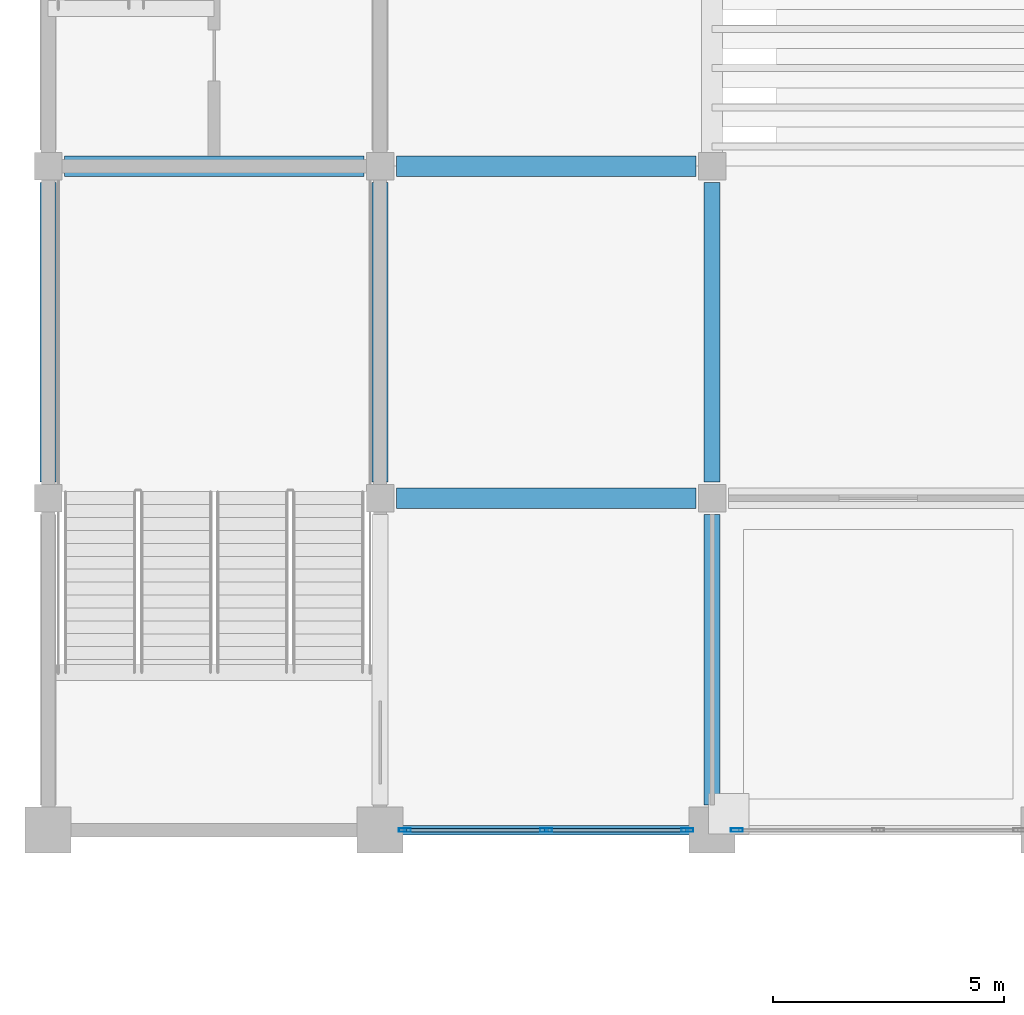
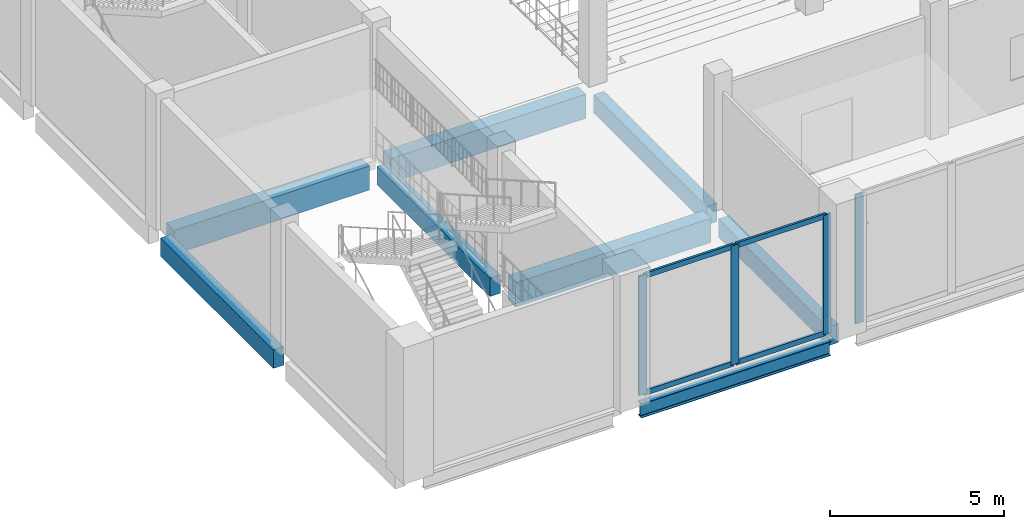
# One storey, part 6 of 99: 8 beams, 8 members, 2 elements without a shape of their own.
"""IFC4 building model written with IfcOpenShell, lengths in metres."""

import ifcopenshell
import ifcopenshell.guid

model = None  # the IFC model being written
_history = None  # IfcOwnerHistory: only IFC2X3 demands one
_inside = {}  # id of a spatial element -> (the spatial element, [elements in it])
_under = {}  # id of a project, library or spatial element -> (it, [spatial elements below it])
_declared = {}  # id of a project -> (the project, [libraries it declares])
_typed = {}  # id of a type object -> (the type object, [elements of that type])
_made_of = {}  # id of a material, layer set ... -> (it, [elements and type objects made of it])


def new_model(schema):
    """Start an empty IFC model of exactly this schema.

    Asked for "IFC4X3", IfcOpenShell would pick the latest addendum, in which some entities
    have other attributes; the version numbers below select the first issue.
    IFC2X3 requires an IfcOwnerHistory on every rooted entity: one is made here for all.
    """
    global model, _history
    if schema == "IFC4X3":
        model = ifcopenshell.file(schema_version=(4, 3, 0, 0))
    else:
        model = ifcopenshell.file(schema=schema)
    _inside.clear()
    _under.clear()
    _declared.clear()
    _typed.clear()
    _made_of.clear()
    _history = None
    if model.schema == "IFC2X3":
        org = make("IfcOrganization", Name="unknown")
        user = make(
            "IfcPersonAndOrganization",
            ThePerson=make("IfcPerson", FamilyName="unknown"),
            TheOrganization=org,
        )
        app = make(
            "IfcApplication",
            ApplicationDeveloper=org,
            Version="unknown",
            ApplicationFullName="unknown",
            ApplicationIdentifier="unknown",
        )
        _history = make(
            "IfcOwnerHistory",
            OwningUser=user,
            OwningApplication=app,
            ChangeAction="ADDED",
            CreationDate=0,
        )
    return model


def make(cls, **values):
    """One entity of the class cls with the attributes given. An attribute that is None is left unset."""
    return model.create_entity(
        cls, **{name: value for name, value in values.items() if value is not None}
    )


def rooted(cls, **values):
    """An entity with a GlobalId (a new one), such as an element, a storey or a relation."""
    return make(cls, GlobalId=ifcopenshell.guid.new(), OwnerHistory=_history, **values)


def si_unit(unit_type, name, prefix=None):
    """IfcSIUnit, for example si_unit("LENGTHUNIT", "METRE", prefix="MILLI")."""
    return make("IfcSIUnit", UnitType=unit_type, Prefix=prefix, Name=name)


def assignment(units):
    """IfcUnitAssignment: the units of a project."""
    return None if units is None else make("IfcUnitAssignment", Units=units)


def point(xyz):
    """IfcCartesianPoint."""
    return None if xyz is None else make("IfcCartesianPoint", Coordinates=xyz)


def direction(xyz):
    """IfcDirection."""
    return None if xyz is None else make("IfcDirection", DirectionRatios=xyz)


def frame(location, z_axis=None, x_axis=None):
    """IfcAxis2Placement3D, a coordinate frame: its origin and axes. An axis left out is left unset."""
    return make(
        "IfcAxis2Placement3D",
        Location=point(location),
        Axis=direction(z_axis),
        RefDirection=direction(x_axis),
    )


def frame_2d(location, x_axis=None):
    """IfcAxis2Placement2D, a coordinate frame in the plane: its origin and x axis."""
    return make(
        "IfcAxis2Placement2D", Location=point(location), RefDirection=direction(x_axis)
    )


def origin():
    """The frame at (0, 0, 0) with its axes left unset."""
    return frame((0.0, 0.0, 0.0))


def origin_2d():
    """The frame at (0, 0) in the plane with its x axis left unset."""
    return frame_2d((0.0, 0.0))


def place(relative_to, where):
    """IfcLocalPlacement: puts the frame where relative to a parent placement (None: the world)."""
    return make(
        "IfcLocalPlacement", PlacementRelTo=relative_to, RelativePlacement=where
    )


def context(
    kind, dimensions, precision=None, world=None, true_north=None, identifier=None
):
    """IfcGeometricRepresentationContext, for example the 3D "Model" context."""
    return make(
        "IfcGeometricRepresentationContext",
        ContextIdentifier=identifier,
        ContextType=kind,
        CoordinateSpaceDimension=dimensions,
        Precision=precision,
        WorldCoordinateSystem=world,
        TrueNorth=true_north,
    )


def subcontext(parent, identifier, kind, view, scale=None):
    """IfcGeometricRepresentationSubContext, for example "Body" below "Model"."""
    return make(
        "IfcGeometricRepresentationSubContext",
        ContextIdentifier=identifier,
        ContextType=kind,
        ParentContext=parent,
        TargetScale=scale,
        TargetView=view,
    )


def project(units=None, contexts=None):
    """IfcProject with its units and contexts."""
    return rooted(
        "IfcProject",
        Name="project",
        RepresentationContexts=contexts,
        UnitsInContext=assignment(units),
    )


def spatial(cls, under=None, at=None, **own):
    """A site, building, storey or space (cls), placed at a placement, below another one or the project."""
    s = rooted(cls, ObjectPlacement=at, **own)
    if under is not None:
        _under.setdefault(under.id(), (under, []))[1].append(s)
    return s


def profile(cls, at=None, kind="AREA", **sizes):
    """A parametric profile (cls). Its sizes go by their IFC names, for example OverallWidth=200.0."""
    return make(cls, ProfileType=kind, Position=at, **sizes)


def rectangle(**sizes):
    """IfcRectangleProfileDef."""
    return profile("IfcRectangleProfileDef", **sizes)


def hollow_rectangle(**sizes):
    """IfcRectangleHollowProfileDef."""
    return profile("IfcRectangleHollowProfileDef", **sizes)


def i_section(**sizes):
    """IfcIShapeProfileDef."""
    return profile("IfcIShapeProfileDef", **sizes)


def extrude(swept, where, along, depth):
    """IfcExtrudedAreaSolid: the profile swept, set in the frame where, extruded along a direction by depth."""
    return make(
        "IfcExtrudedAreaSolid",
        SweptArea=swept,
        Position=where,
        ExtrudedDirection=direction(along),
        Depth=depth,
    )


def shape(context_of_items, identifier, shape_type, items):
    """IfcShapeRepresentation: the items that make up one representation, for example the "Body"."""
    return make(
        "IfcShapeRepresentation",
        ContextOfItems=context_of_items,
        RepresentationIdentifier=identifier,
        RepresentationType=shape_type,
        Items=items,
    )


def material(Name=None, Category=None):
    """IfcMaterial."""
    return make("IfcMaterial", Name=Name, Category=Category)


def material_profile(
    of_material, cross_section, Name=None, Category=None, Priority=None
):
    """IfcMaterialProfile: a cross section and its material."""
    return make(
        "IfcMaterialProfile",
        Name=Name,
        Material=of_material,
        Profile=cross_section,
        Priority=Priority,
        Category=Category,
    )


def profile_set(profiles, Name=None, composite=None):
    """IfcMaterialProfileSet."""
    return make(
        "IfcMaterialProfileSet",
        Name=Name,
        MaterialProfiles=profiles,
        CompositeProfile=composite,
    )


def made_of(thing, what):
    """Note that an element or type object is made of a material, layer set ...; save() writes the relation."""
    if what is not None:
        _made_of.setdefault(what.id(), (what, []))[1].append(thing)
    return thing


def type_object(cls, material=None, **own):
    """A type object (cls), such as IfcWallType, which elements share."""
    return made_of(rooted(cls, **own), material)


def element(
    cls,
    number,
    at=None,
    inside=None,
    cuts=None,
    type_object=None,
    material=None,
    context=None,
    identifier="Body",
    shape_type=None,
    held_by="IfcProductDefinitionShape",
    body=None,
    shapes=None,
    **own,
):
    """One element of the class cls, such as IfcWall. Its Tag is "e" and its number.

    at: its placement. inside: the storey or other place that contains it. cuts: it is an
    opening in that element (IfcRelVoidsElement). A single representation is given by context,
    identifier, shape_type and body (its items); several are given by shapes. held_by: the class
    of the entity that holds the representations. save() writes the other relations.
    """
    e = rooted(cls, Tag="e%d" % number, ObjectPlacement=at, **own)
    if body is not None:
        shapes = [shape(context, identifier, shape_type, body)]
    if shapes is not None:
        e.Representation = make(held_by, Representations=shapes)
    if inside is not None:
        _inside.setdefault(inside.id(), (inside, []))[1].append(e)
    if cuts is not None:
        rooted(
            "IfcRelVoidsElement", RelatingBuildingElement=cuts, RelatedOpeningElement=e
        )
    if type_object is not None:
        _typed.setdefault(type_object.id(), (type_object, []))[1].append(e)
    return made_of(e, material)


def aggregate(whole, parts):
    """IfcRelAggregates: a whole, such as a stair, and the parts it consists of."""
    return rooted("IfcRelAggregates", RelatingObject=whole, RelatedObjects=parts)


def save(model, path):
    """Write the relations noted so far, then the file.

    IfcRelAggregates (storeys below a building ...), IfcRelContainedInSpatialStructure (elements
    in a storey), IfcRelDefinesByType, IfcRelAssociatesMaterial and IfcRelDeclares: one each for
    every whole, place, type object, material and project.
    """
    for whole, parts in _under.values():
        aggregate(whole, parts)
    for where, things in _inside.values():
        rooted(
            "IfcRelContainedInSpatialStructure",
            RelatedElements=things,
            RelatingStructure=where,
        )
    for kind, things in _typed.values():
        rooted("IfcRelDefinesByType", RelatedObjects=things, RelatingType=kind)
    for what, things in _made_of.values():
        rooted("IfcRelAssociatesMaterial", RelatedObjects=things, RelatingMaterial=what)
    for by, libraries in _declared.values():
        rooted("IfcRelDeclares", RelatingContext=by, RelatedDefinitions=libraries)
    model.write(path)


model = new_model("IFC4")

# Units and contexts
model_context = context("Model", 3, precision=1e-05, world=origin(), true_north=direction((0.0, 1.0)))
body_context = subcontext(model_context, "Body", "Model", "MODEL_VIEW")
ifc_project = project(units=[si_unit("LENGTHUNIT", "METRE"), si_unit("AREAUNIT", "SQUARE_METRE"), si_unit("VOLUMEUNIT", "CUBIC_METRE"), si_unit("PLANEANGLEUNIT", "RADIAN"), si_unit("MASSUNIT", "GRAM", prefix="KILO")], contexts=[model_context])

# Site, building, storey
site_placement = place(None, origin())
site = spatial("IfcSite", under=ifc_project, at=site_placement, CompositionType="ELEMENT")
building_placement = place(site_placement, origin())
building = spatial("IfcBuilding", under=site, at=building_placement, Name="Vesperath Aquatics Centre", CompositionType="ELEMENT")
storey_placement = place(building_placement, frame((0.0, 0.0, 5.39990234375)))
storey = spatial("IfcBuildingStorey", under=building, at=storey_placement, Name="L01", CompositionType="ELEMENT", Elevation=5.39990234375)

# Beams
ifc_material_1 = material(Name="Concrete C35", Category="concrete")
ifc_material_profile_1 = material_profile(ifc_material_1, rectangle(XDim=0.449951171875, YDim=0.85009765625, at=origin_2d()), Name="RC 450x850")
ifc_profile_set_1 = profile_set([ifc_material_profile_1], Name="Concrete C35")
beam_type_1 = type_object("IfcBeamType", Name="BM-G03", PredefinedType="BEAM", material=ifc_profile_set_1)
for number, where, z_axis, x_axis, name in (
    (1, (0.35009765625, 28.800048828125, -0.684814453125), (1.0, 0.0, 0.0), (0.0, 1.0, 0.0), "Floor Girder B03 L01 E 1-2"),
    (2, (7.550048828125, 21.60009765625, -0.684814453125), (1.0, 0.0, 0.0), (0.0, 1.0, 0.0), "Floor Girder B03 L01 D 2-3"),
    (3, (7.550048828125, 28.800048828125, -0.684814453125), (1.0, 0.0, 0.0), (0.0, 1.0, 0.0), "Floor Girder B03 L01 E 2-3"),
):
    element("IfcBeam", number, at=place(storey_placement, frame(where, z_axis=z_axis, x_axis=x_axis)), inside=storey, type_object=beam_type_1, Name=name, PredefinedType="BEAM", context=body_context, shape_type="SweptSolid", body=[
        extrude(rectangle(XDim=0.449951171875, YDim=0.85009765625, at=origin_2d()), origin(), (0.0, 0.0, 1.0), 6.5),
    ])
ifc_material_profile_2 = material_profile(ifc_material_1, rectangle(XDim=0.35009765625, YDim=0.64990234375, at=origin_2d()), Name="RC 350x650")
ifc_profile_set_2 = profile_set([ifc_material_profile_2], Name="Concrete C35")
beam_type_2 = type_object("IfcBeamType", Name="BM-G05", PredefinedType="BEAM", material=ifc_profile_set_2)
for number, where, z_axis, x_axis, name in (
    (4, (0.0, 21.949951171875, -0.5849609375), (0.0, 1.0, 0.0), (-1.0, 0.0, 0.0), "Floor Girder B05 L01 1 D-E"),
    (5, (7.199951171875, 21.949951171875, -0.5849609375), (0.0, 1.0, 0.0), (-1.0, 0.0, 0.0), "Floor Girder B05 L01 2 D-E"),
):
    element("IfcBeam", number, at=place(storey_placement, frame(where, z_axis=z_axis, x_axis=x_axis)), inside=storey, type_object=beam_type_2, Name=name, PredefinedType="BEAM", context=body_context, shape_type="SweptSolid", body=[
        extrude(rectangle(XDim=0.35009765625, YDim=0.64990234375, at=origin_2d()), origin(), (0.0, 0.0, 1.0), 6.5),
    ])
beam_1_placement = place(storey_placement, frame((14.39990234375, 14.949951171875, -0.5849609375), z_axis=(0.0, 1.0, 0.0), x_axis=(-1.0, 0.0, 0.0)))
element("IfcBeam", 6, at=beam_1_placement, inside=storey, type_object=beam_type_2, Name="Floor Girder B05 L01 3 C-D", PredefinedType="BEAM", context=body_context, shape_type="SweptSolid", body=[
    extrude(rectangle(XDim=0.35009765625, YDim=0.64990234375, at=origin_2d()), origin(), (0.0, 0.0, 1.0), 6.300048828125),
])
beam_2_placement = place(storey_placement, frame((14.39990234375, 21.949951171875, -0.5849609375), z_axis=(0.0, 1.0, 0.0), x_axis=(-1.0, 0.0, 0.0)))
element("IfcBeam", 7, at=beam_2_placement, inside=storey, type_object=beam_type_2, Name="Floor Girder B05 L01 3 D-E", PredefinedType="BEAM", context=body_context, shape_type="SweptSolid", body=[
    extrude(rectangle(XDim=0.35009765625, YDim=0.64990234375, at=origin_2d()), origin(), (0.0, 0.0, 1.0), 6.5),
])
ifc_material_2 = material(Name="Steel Q355D", Category="steel")
ifc_material_profile_3 = material_profile(ifc_material_2, i_section(OverallWidth=0.199951171875, OverallDepth=0.5, WebThickness=0.010009765625, FlangeThickness=0.01611328125, FilletRadius=0.02001953125, at=origin_2d()), Name="HN 500x200x10x16")
ifc_profile_set_3 = profile_set([ifc_material_profile_3], Name="Steel Q355D")
beam_type_3 = type_object("IfcBeamType", Name="BM-SP01", PredefinedType="SPANDREL", material=ifc_profile_set_3)
beam_3_placement = place(storey_placement, frame((7.64990234375, 14.39990234375, -0.510009765625), z_axis=(1.0, 0.0, 0.0), x_axis=(0.0, 1.0, 0.0)))
element("IfcBeam", 8, at=beam_3_placement, inside=storey, type_object=beam_type_3, Name="Floor Girder SP01 L01 C 2-3", PredefinedType="SPANDREL", context=body_context, shape_type="SweptSolid", body=[
    extrude(i_section(OverallWidth=0.199951171875, OverallDepth=0.5, WebThickness=0.010009765625, FlangeThickness=0.01611328125, FilletRadius=0.02001953125, at=origin_2d()), origin(), (0.0, 0.0, 1.0), 6.300048828125),
])

# Curtain wall, members
ifc_material_3 = material(Name="Thermally broken anodised bronze aluminium curtain wall", Category="aluminium")
curtain_wall_type = type_object("IfcCurtainWallType", Name="CW-02", PredefinedType="NOTDEFINED", material=ifc_material_3)
curtain_wall_1_placement = place(storey_placement, origin())
curtain_wall_1 = element("IfcCurtainWall", 9, at=curtain_wall_1_placement, inside=storey, type_object=curtain_wall_type, Name="Facade Curtain Wall CW02 L01_S_01_02", PredefinedType="NOTDEFINED")
ifc_material_4 = material(Name="Thermally broken anodised aluminium", Category="aluminium")
ifc_material_profile_4 = material_profile(ifc_material_4, hollow_rectangle(XDim=0.074951171875, YDim=0.260009765625, WallThickness=0.006103515625, at=origin_2d()), Name="CWM 75x260x6")
ifc_profile_set_4 = profile_set([ifc_material_profile_4], Name="Thermally broken anodised aluminium")
member_type_1 = type_object("IfcMemberType", Name="MB-CWM1", PredefinedType="MULLION", material=ifc_profile_set_4)
member_1_placement = place(storey_placement, frame((7.737548828125, 14.39990234375, 0.0), z_axis=(0.0, 0.0, 1.0), x_axis=(0.0, 1.0, 0.0)))
member_1 = element("IfcMember", 10, at=member_1_placement, type_object=member_type_1, Name="CW02 mullion 1", PredefinedType="MULLION", context=body_context, shape_type="SweptSolid", body=[
    extrude(hollow_rectangle(XDim=0.074951171875, YDim=0.260009765625, WallThickness=0.006103515625, at=origin_2d()), origin(), (0.0, 0.0, 1.0), 4.190185546875),
])
member_2_placement = place(storey_placement, frame((10.800048828125, 14.39990234375, 0.0), z_axis=(0.0, 0.0, 1.0), x_axis=(0.0, 1.0, 0.0)))
member_2 = element("IfcMember", 11, at=member_2_placement, type_object=member_type_1, Name="CW02 mullion 2", PredefinedType="MULLION", context=body_context, shape_type="SweptSolid", body=[
    extrude(hollow_rectangle(XDim=0.074951171875, YDim=0.260009765625, WallThickness=0.006103515625, at=origin_2d()), origin(), (0.0, 0.0, 1.0), 4.190185546875),
])
member_3_placement = place(storey_placement, frame((13.862548828125, 14.39990234375, 0.0), z_axis=(0.0, 0.0, 1.0), x_axis=(0.0, 1.0, 0.0)))
member_3 = element("IfcMember", 12, at=member_3_placement, type_object=member_type_1, Name="CW02 mullion 3", PredefinedType="MULLION", context=body_context, shape_type="SweptSolid", body=[
    extrude(hollow_rectangle(XDim=0.074951171875, YDim=0.260009765625, WallThickness=0.006103515625, at=origin_2d()), origin(), (0.0, 0.0, 1.0), 4.190185546875),
])

# Curtain wall, member
curtain_wall_2_placement = place(storey_placement, origin())
curtain_wall_2 = element("IfcCurtainWall", 13, at=curtain_wall_2_placement, inside=storey, type_object=curtain_wall_type, Name="Facade Curtain Wall CW02 L01_S_02_02", PredefinedType="NOTDEFINED")
member_4_placement = place(storey_placement, frame((14.9375, 14.39990234375, 0.0), z_axis=(0.0, 0.0, 1.0), x_axis=(0.0, 1.0, 0.0)))
member_4 = element("IfcMember", 14, at=member_4_placement, type_object=member_type_1, Name="CW02 mullion 1", PredefinedType="MULLION", context=body_context, shape_type="SweptSolid", body=[
    extrude(hollow_rectangle(XDim=0.074951171875, YDim=0.260009765625, WallThickness=0.006103515625, at=origin_2d()), origin(), (0.0, 0.0, 1.0), 4.5400390625),
])
aggregate(curtain_wall_2, [member_4])

# Member
ifc_material_profile_5 = material_profile(ifc_material_4, hollow_rectangle(XDim=0.074951171875, YDim=0.179931640625, WallThickness=0.0048828125, at=origin_2d()), Name="CWT 75x180x5")
ifc_profile_set_5 = profile_set([ifc_material_profile_5], Name="Thermally broken anodised aluminium")
member_type_2 = type_object("IfcMemberType", Name="MB-CWT1", PredefinedType="USERDEFINED", material=ifc_profile_set_5)
member_5_placement = place(storey_placement, frame((7.77490234375, 14.39990234375, 0.03759765625), z_axis=(1.0, 0.0, 0.0), x_axis=(0.0, 1.0, 0.0)))
member_5 = element("IfcMember", 15, at=member_5_placement, type_object=member_type_2, Name="CW02 transom 1.1", ObjectType="TRANSOM", PredefinedType="USERDEFINED", context=body_context, shape_type="SweptSolid", body=[
    extrude(hollow_rectangle(XDim=0.074951171875, YDim=0.179931640625, WallThickness=0.0048828125, at=origin_2d()), origin(), (0.0, 0.0, 1.0), 2.987548828125),
])

member_6_placement = place(storey_placement, frame((7.77490234375, 14.39990234375, 4.152587890625), z_axis=(1.0, 0.0, 0.0), x_axis=(0.0, 1.0, 0.0)))
member_6 = element("IfcMember", 16, at=member_6_placement, type_object=member_type_2, Name="CW02 transom 1.2", ObjectType="TRANSOM", PredefinedType="USERDEFINED", context=body_context, shape_type="SweptSolid", body=[
    extrude(hollow_rectangle(XDim=0.074951171875, YDim=0.179931640625, WallThickness=0.0048828125, at=origin_2d()), origin(), (0.0, 0.0, 1.0), 2.987548828125),
])

member_7_placement = place(storey_placement, frame((10.83740234375, 14.39990234375, 0.03759765625), z_axis=(1.0, 0.0, 0.0), x_axis=(0.0, 1.0, 0.0)))
member_7 = element("IfcMember", 17, at=member_7_placement, type_object=member_type_2, Name="CW02 transom 2.1", ObjectType="TRANSOM", PredefinedType="USERDEFINED", context=body_context, shape_type="SweptSolid", body=[
    extrude(hollow_rectangle(XDim=0.074951171875, YDim=0.179931640625, WallThickness=0.0048828125, at=origin_2d()), origin(), (0.0, 0.0, 1.0), 2.987548828125),
])

member_8_placement = place(storey_placement, frame((10.83740234375, 14.39990234375, 4.152587890625), z_axis=(1.0, 0.0, 0.0), x_axis=(0.0, 1.0, 0.0)))
member_8 = element("IfcMember", 18, at=member_8_placement, type_object=member_type_2, Name="CW02 transom 2.2", ObjectType="TRANSOM", PredefinedType="USERDEFINED", context=body_context, shape_type="SweptSolid", body=[
    extrude(hollow_rectangle(XDim=0.074951171875, YDim=0.179931640625, WallThickness=0.0048828125, at=origin_2d()), origin(), (0.0, 0.0, 1.0), 2.987548828125),
])

aggregate(curtain_wall_1, [member_1, member_2, member_3, member_5, member_6, member_7, member_8])

save(model, "model.ifc")
